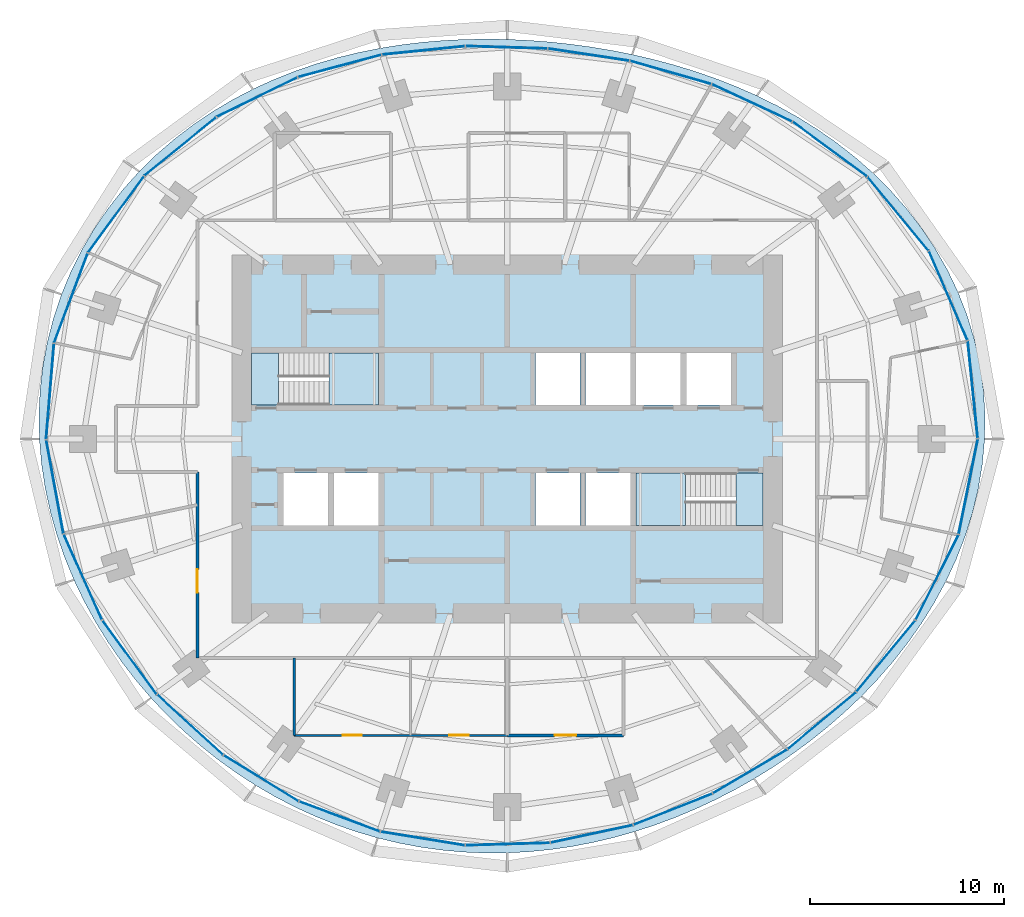
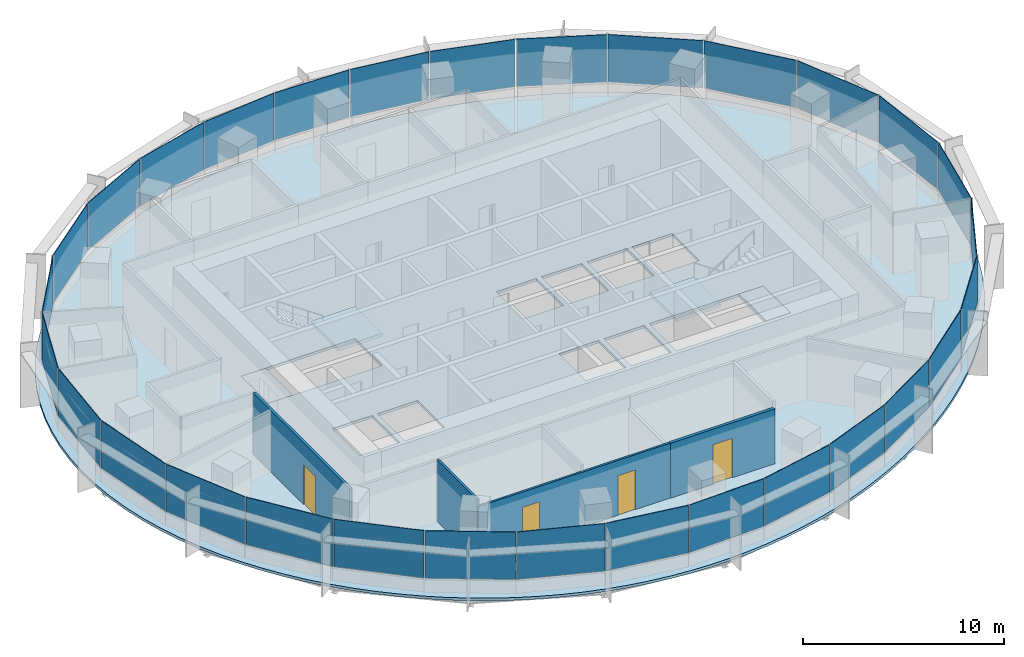
# One storey, part 9 of 14: 30 plates, 5 slabs, 4 doors, 4 walls, 4 openings, 8 elements without a shape of their own.
"""IFC4 building model written with IfcOpenShell, lengths in metres."""

from ifc_helpers import new_model, si_unit, direction, frame, frame_2d, origin, origin_2d, place, context, subcontext, project, spatial, polyline, rectangle, outline, extrude, material, layer, layer_set, type_object, element, fill, aggregate, save


model = new_model("IFC4")

# Units and contexts
model_context = context("Model", 3, precision=1e-05, world=origin(), true_north=direction((0.0, 1.0)))
body_context = subcontext(model_context, "Body", "Model", "MODEL_VIEW")
ifc_project = project(units=[si_unit("LENGTHUNIT", "METRE"), si_unit("AREAUNIT", "SQUARE_METRE"), si_unit("VOLUMEUNIT", "CUBIC_METRE"), si_unit("PLANEANGLEUNIT", "RADIAN"), si_unit("MASSUNIT", "GRAM", prefix="KILO")], contexts=[model_context])

# Site, building, storey
site_placement = place(None, origin())
site = spatial("IfcSite", under=ifc_project, at=site_placement, CompositionType="ELEMENT")
building_placement = place(site_placement, origin())
building = spatial("IfcBuilding", under=site, at=building_placement, Name="Marramba Exchange Tower", CompositionType="ELEMENT")
storey_placement = place(building_placement, frame((0.0, 0.0, 199.39990234375)))
storey = spatial("IfcBuildingStorey", under=building, at=storey_placement, Name="L48", CompositionType="ELEMENT", Elevation=199.39990234375)

# Slab
ifc_material_1 = material(Name="Concrete N40", Category="concrete")
ifc_layer_1 = layer(ifc_material_1, 0.159912109375)
ifc_layer_set_1 = layer_set([ifc_layer_1], Name="Composite floor slab 160")
slab_type_1 = type_object("IfcSlabType", Name="Composite floor slab 160", PredefinedType="FLOOR", material=ifc_layer_set_1)
slab_1_placement = place(storey_placement, frame((0.0, 0.0, -0.159912109375)))
element("IfcSlab", 1, at=slab_1_placement, inside=storey, type_object=slab_type_1, Name="Floor slab L48", PredefinedType="FLOOR", context=body_context, shape_type="SweptSolid", body=[
    extrude(outline(polyline([(24.64404296875, 0.0), (24.661376953125, 1.29248046875), (24.580078125, 2.58349609375), (24.399658203125, 3.864501953125), (24.12109375, 5.127197265625), (23.7470703125, 6.363037109375), (23.281494140625, 7.564697265625), (22.72900390625, 8.724853515625), (22.095947265625, 9.837646484375), (21.388427734375, 10.89794921875), (20.614013671875, 11.901611328125), (19.780029296875, 12.845458984375), (18.894287109375, 13.7275390625), (17.964111328125, 14.547119140625), (16.996826171875, 15.303955078125), (15.9990234375, 15.9990234375), (14.977294921875, 16.634033203125), (13.936767578125, 17.21044921875), (12.882568359375, 17.7314453125), (11.819091796875, 18.19970703125), (10.749267578125, 18.6181640625), (9.67578125, 18.989990234375), (8.60107421875, 19.318115234375), (7.52587890625, 19.60546875), (6.451171875, 19.8544921875), (5.377197265625, 20.067626953125), (4.303466796875, 20.246337890625), (3.229736328125, 20.39208984375), (2.1552734375, 20.50537109375), (1.078857421875, 20.5869140625), (0.0, 20.63623046875), (-1.082275390625, 20.652587890625), (-2.168701171875, 20.634765625), (-3.259765625, 20.580810546875), (-4.35498046875, 20.4892578125), (-5.45458984375, 20.35693359375), (-6.557373046875, 20.181884765625), (-7.662353515625, 19.9609375), (-8.76708984375, 19.691162109375), (-9.869384765625, 19.369873046875), (-10.96630859375, 18.994384765625), (-12.05419921875, 18.561767578125), (-13.128662109375, 18.070068359375), (-14.185546875, 17.517578125), (-15.218994140625, 16.902587890625), (-16.22412109375, 16.22412109375), (-17.195068359375, 15.482421875), (-18.12548828125, 14.677734375), (-19.009521484375, 13.811279296875), (-19.841064453125, 12.885009765625), (-20.614013671875, 11.901611328125), (-21.32275390625, 10.864501953125), (-21.9619140625, 9.778076171875), (-22.52685546875, 8.647216796875), (-23.01318359375, 7.477294921875), (-23.417724609375, 6.274658203125), (-23.73779296875, 5.045654296875), (-23.971923828125, 3.796875), (-24.119384765625, 2.53515625), (-24.180419921875, 1.267333984375), (-24.156005859375, 0.0), (-24.04833984375, -1.26025390625), (-23.860107421875, -2.5078125), (-23.594482421875, -3.737060546875), (-23.25537109375, -4.943115234375), (-22.846923828125, -6.121826171875), (-22.373291015625, -7.26953125), (-21.8388671875, -8.38330078125), (-21.247802734375, -9.460205078125), (-20.604248046875, -10.49853515625), (-19.912109375, -11.496337890625), (-19.174560546875, -12.4521484375), (-18.395263671875, -13.364990234375), (-17.5771484375, -14.233642578125), (-16.72265625, -15.05712890625), (-15.834228515625, -15.834228515625), (-14.914794921875, -16.564453125), (-13.966064453125, -17.24658203125), (-12.990234375, -17.879638671875), (-11.98974609375, -18.46240234375), (-10.96630859375, -18.994384765625), (-9.922607421875, -19.47412109375), (-8.860595703125, -19.901123046875), (-7.78271484375, -20.2744140625), (-6.691162109375, -20.593505859375), (-5.5888671875, -20.858154296875), (-4.478271484375, -21.068115234375), (-3.361328125, -21.22314453125), (-2.2412109375, -21.32373046875), (-1.119873046875, -21.370361328125), (0.0, -21.36376953125), (1.116455078125, -21.3046875), (2.2275390625, -21.194580078125), (3.33154296875, -21.0341796875), (4.426513671875, -20.8251953125), (5.511474609375, -20.56884765625), (6.5849609375, -20.266357421875), (7.646240234375, -19.919189453125), (8.694580078125, -19.528076171875), (9.72900390625, -19.09423828125), (10.749267578125, -18.6181640625), (11.75439453125, -18.100341796875), (12.744140625, -17.541015625), (13.71728515625, -16.939697265625), (14.6728515625, -16.2958984375), (15.609130859375, -15.609130859375), (16.5244140625, -14.878662109375), (17.415771484375, -14.10302734375), (18.280029296875, -13.28125), (19.11376953125, -12.41259765625), (19.912109375, -11.496337890625), (20.669921875, -10.531982421875), (21.3818359375, -9.519775390625), (22.041259765625, -8.4609375), (22.641845703125, -7.356689453125), (23.176513671875, -6.210205078125), (23.638671875, -5.024658203125), (24.022216796875, -3.8046875), (24.32080078125, -2.55615234375), (24.529541015625, -1.28564453125), (24.64404296875, 0.0)]), holes=[polyline([(1.449951171875, 1.75), (3.75, 1.75), (3.75, 4.449951171875), (1.449951171875, 4.449951171875), (1.449951171875, 1.75)]), polyline([(4.050048828125, 1.75), (6.35009765625, 1.75), (6.35009765625, 4.449951171875), (4.050048828125, 4.449951171875), (4.050048828125, 1.75)]), polyline([(1.449951171875, -4.449951171875), (3.75, -4.449951171875), (3.75, -1.75), (1.449951171875, -1.75), (1.449951171875, -4.449951171875)]), polyline([(4.050048828125, -4.449951171875), (6.35009765625, -4.449951171875), (6.35009765625, -1.75), (4.050048828125, -1.75), (4.050048828125, -4.449951171875)]), polyline([(6.64990234375, 1.75), (8.949951171875, 1.75), (8.949951171875, 4.449951171875), (6.64990234375, 4.449951171875), (6.64990234375, 1.75)]), polyline([(-8.949951171875, -4.449951171875), (-6.64990234375, -4.449951171875), (-6.64990234375, -1.75), (-8.949951171875, -1.75), (-8.949951171875, -4.449951171875)]), polyline([(-11.550048828125, -4.449951171875), (-9.25, -4.449951171875), (-9.25, -1.75), (-11.550048828125, -1.75), (-11.550048828125, -4.449951171875)]), polyline([(9.25, 1.75), (11.550048828125, 1.75), (11.550048828125, 4.449951171875), (9.25, 4.449951171875), (9.25, 1.75)]), polyline([(-13.199951171875, 1.75), (-6.64990234375, 1.75), (-6.64990234375, 4.449951171875), (-13.199951171875, 4.449951171875), (-13.199951171875, 1.75)]), polyline([(6.64990234375, -4.449951171875), (13.199951171875, -4.449951171875), (13.199951171875, -1.75), (6.64990234375, -1.75), (6.64990234375, -4.449951171875)])]), origin(), (0.0, 0.0, 1.0), 0.159912109375),
])

# Curtain wall, plates
ifc_material_2 = material(Name="Aluminium framing, bronze anodised", Category="aluminium")
curtain_wall_type = type_object("IfcCurtainWallType", Name="Office ribbon curtain wall", PredefinedType="USERDEFINED", material=ifc_material_2)
curtain_wall_1_placement = place(storey_placement, origin())
curtain_wall_1 = element("IfcCurtainWall", 2, at=curtain_wall_1_placement, inside=storey, type_object=curtain_wall_type, Name="Curtain wall CW4 L48 F01-F05", ObjectType="RIBBON CURTAIN WALL", PredefinedType="USERDEFINED")
ifc_material_3 = material(Name="Laminated double glazed unit 10.76 + 16 + 10.76, bronze tinted", Category="glass")
ifc_layer_2 = layer(ifc_material_3, 0.03759765625)
ifc_layer_set_2 = layer_set([ifc_layer_2], Name="Office ribbon curtain wall panel")
plate_type = type_object("IfcPlateType", Name="Office ribbon curtain wall panel", PredefinedType="CURTAIN_PANEL", material=ifc_layer_set_2)
plate_1_placement = place(storey_placement, frame((24.033203125, 2.556884765625, 0.860107421875), z_axis=(0.0, 0.0, 1.0), x_axis=(-0.101422472607, 0.994843446001, 0.0)))
plate_1 = element("IfcPlate", 3, at=plate_1_placement, type_object=plate_type, Name="CW4 vision panel", PredefinedType="CURTAIN_PANEL", context=body_context, shape_type="SweptSolid", body=[
    extrude(rectangle(XDim=5.0205078125, YDim=0.03759765625, at=origin_2d()), origin(), (0.0, 0.0, 1.0), 2.8798828125),
])
plate_2_placement = place(storey_placement, frame((22.765625, 7.40234375, 0.860107421875), z_axis=(0.0, 0.0, 1.0), x_axis=(-0.396193346946, 0.918167104527, 0.0)))
plate_2 = element("IfcPlate", 4, at=plate_2_placement, type_object=plate_type, Name="CW4 vision panel", PredefinedType="CURTAIN_PANEL", context=body_context, shape_type="SweptSolid", body=[
    extrude(rectangle(XDim=4.99462890625, YDim=0.03759765625, at=origin_2d()), origin(), (0.0, 0.0, 1.0), 2.8798828125),
])
plate_3_placement = place(storey_placement, frame((20.174560546875, 11.631591796875, 0.860107421875), z_axis=(0.0, 0.0, 1.0), x_axis=(-0.637350227411, 0.770574258342, 0.0)))
plate_3 = element("IfcPlate", 5, at=plate_3_placement, type_object=plate_type, Name="CW4 vision panel", PredefinedType="CURTAIN_PANEL", context=body_context, shape_type="SweptSolid", body=[
    extrude(rectangle(XDim=4.90576171875, YDim=0.03759765625, at=origin_2d()), origin(), (0.0, 0.0, 1.0), 2.8798828125),
])
plate_4_placement = place(storey_placement, frame((16.653076171875, 14.965576171875, 0.860107421875), z_axis=(0.0, 0.0, 1.0), x_axis=(-0.804877259395, 0.593441317494, 0.0)))
plate_4 = element("IfcPlate", 6, at=plate_4_placement, type_object=plate_type, Name="CW4 vision panel", PredefinedType="CURTAIN_PANEL", context=body_context, shape_type="SweptSolid", body=[
    extrude(rectangle(XDim=4.745849609375, YDim=0.03759765625, at=origin_2d()), origin(), (0.0, 0.0, 1.0), 2.8798828125),
])
plate_5_placement = place(storey_placement, frame((12.63134765625, 17.357177734375, 0.860107421875), z_axis=(0.0, 0.0, 1.0), x_axis=(-0.906533907301, 0.422133006189, 0.0)))
plate_5 = element("IfcPlate", 7, at=plate_5_placement, type_object=plate_type, Name="CW4 vision panel", PredefinedType="CURTAIN_PANEL", context=body_context, shape_type="SweptSolid", body=[
    extrude(rectangle(XDim=4.53857421875, YDim=0.03759765625, at=origin_2d()), origin(), (0.0, 0.0, 1.0), 2.8798828125),
])
aggregate(curtain_wall_1, [plate_1, plate_2, plate_3, plate_4, plate_5])

curtain_wall_2_placement = place(storey_placement, origin())
curtain_wall_2 = element("IfcCurtainWall", 8, at=curtain_wall_2_placement, inside=storey, type_object=curtain_wall_type, Name="Curtain wall CW4 L48 F06-F10", ObjectType="RIBBON CURTAIN WALL", PredefinedType="USERDEFINED")
plate_6_placement = place(storey_placement, frame((8.4296875, 18.926513671875, 0.860107421875), z_axis=(0.0, 0.0, 1.0), x_axis=(-0.961658954195, 0.274248164656, 0.0)))
plate_6 = element("IfcPlate", 9, at=plate_6_placement, type_object=plate_type, Name="CW4 vision panel", PredefinedType="CURTAIN_PANEL", context=body_context, shape_type="SweptSolid", body=[
    extrude(rectangle(XDim=4.33984375, YDim=0.03759765625, at=origin_2d()), origin(), (0.0, 0.0, 1.0), 2.8798828125),
])
plate_7_placement = place(storey_placement, frame((4.201171875, 19.843994140625, 0.860107421875), z_axis=(0.0, 0.0, 1.0), x_axis=(-0.988868065698, 0.148794988635, 0.0)))
plate_7 = element("IfcPlate", 10, at=plate_7_placement, type_object=plate_type, Name="CW4 vision panel", PredefinedType="CURTAIN_PANEL", context=body_context, shape_type="SweptSolid", body=[
    extrude(rectangle(XDim=4.2119140625, YDim=0.03759765625, at=origin_2d()), origin(), (0.0, 0.0, 1.0), 2.8798828125),
])
plate_8_placement = place(storey_placement, frame((-0.036865234375, 20.222900390625, 0.860107421875), z_axis=(0.0, 0.0, 1.0), x_axis=(-0.999538000143, 0.03039385249, 0.0)))
plate_8 = element("IfcPlate", 11, at=plate_8_placement, type_object=plate_type, Name="CW4 vision panel", PredefinedType="CURTAIN_PANEL", context=body_context, shape_type="SweptSolid", body=[
    extrude(rectangle(XDim=4.19287109375, YDim=0.03759765625, at=origin_2d()), origin(), (0.0, 0.0, 1.0), 2.8798828125),
])
plate_9_placement = place(storey_placement, frame((-4.320556640625, 20.064697265625, 0.860107421875), z_axis=(0.0, 0.0, 1.0), x_axis=(-0.994900357369, -0.100862673507, 0.0)))
plate_9 = element("IfcPlate", 12, at=plate_9_placement, type_object=plate_type, Name="CW4 vision panel", PredefinedType="CURTAIN_PANEL", context=body_context, shape_type="SweptSolid", body=[
    extrude(rectangle(XDim=4.279296875, YDim=0.03759765625, at=origin_2d()), origin(), (0.0, 0.0, 1.0), 2.8798828125),
])
plate_10_placement = place(storey_placement, frame((-8.6494140625, 19.262451171875, 0.860107421875), z_axis=(0.0, 0.0, 1.0), x_axis=(-0.966240653155, -0.257641223778, 0.0)))
plate_10 = element("IfcPlate", 13, at=plate_10_placement, type_object=plate_type, Name="CW4 vision panel", PredefinedType="CURTAIN_PANEL", context=body_context, shape_type="SweptSolid", body=[
    extrude(rectangle(XDim=4.433837890625, YDim=0.03759765625, at=origin_2d()), origin(), (0.0, 0.0, 1.0), 2.8798828125),
])
aggregate(curtain_wall_2, [plate_6, plate_7, plate_8, plate_9, plate_10])

curtain_wall_3_placement = place(storey_placement, origin())
curtain_wall_3 = element("IfcCurtainWall", 14, at=curtain_wall_3_placement, inside=storey, type_object=curtain_wall_type, Name="Curtain wall CW4 L48 F11-F15", ObjectType="RIBBON CURTAIN WALL", PredefinedType="USERDEFINED")
plate_11_placement = place(storey_placement, frame((-12.9150390625, 17.653564453125, 0.860107421875), z_axis=(0.0, 0.0, 1.0), x_axis=(-0.898500518805, -0.438972456661, 0.0)))
plate_11 = element("IfcPlate", 15, at=plate_11_placement, type_object=plate_type, Name="CW4 vision panel", PredefinedType="CURTAIN_PANEL", context=body_context, shape_type="SweptSolid", body=[
    extrude(rectangle(XDim=4.607177734375, YDim=0.03759765625, at=origin_2d()), origin(), (0.0, 0.0, 1.0), 2.8798828125),
])
plate_12_placement = place(storey_placement, frame((-16.87890625, 15.10498046875, 0.860107421875), z_axis=(0.0, 0.0, 1.0), x_axis=(-0.776432169145, -0.630200830464, 0.0)))
plate_12 = element("IfcPlate", 16, at=plate_12_placement, type_object=plate_type, Name="CW4 vision panel", PredefinedType="CURTAIN_PANEL", context=body_context, shape_type="SweptSolid", body=[
    extrude(rectangle(XDim=4.7587890625, YDim=0.03759765625, at=origin_2d()), origin(), (0.0, 0.0, 1.0), 2.8798828125),
])
plate_13_placement = place(storey_placement, frame((-20.2021484375, 11.596435546875, 0.860107421875), z_axis=(0.0, 0.0, 1.0), x_axis=(-0.591962922138, -0.805965197024, 0.0)))
plate_13 = element("IfcPlate", 17, at=plate_13_placement, type_object=plate_type, Name="CW4 vision panel", PredefinedType="CURTAIN_PANEL", context=body_context, shape_type="SweptSolid", body=[
    extrude(rectangle(XDim=4.865478515625, YDim=0.03759765625, at=origin_2d()), origin(), (0.0, 0.0, 1.0), 2.8798828125),
])
plate_14_placement = place(storey_placement, frame((-22.529296875, 7.276123046875, 0.860107421875), z_axis=(0.0, 0.0, 1.0), x_axis=(-0.351951515885, -0.936018231909, 0.0)))
plate_14 = element("IfcPlate", 18, at=plate_14_placement, type_object=plate_type, Name="CW4 vision panel", PredefinedType="CURTAIN_PANEL", context=body_context, shape_type="SweptSolid", body=[
    extrude(rectangle(XDim=4.921630859375, YDim=0.03759765625, at=origin_2d()), origin(), (0.0, 0.0, 1.0), 2.8798828125),
])
plate_15_placement = place(storey_placement, frame((-23.603271484375, 2.45654296875, 0.860107421875), z_axis=(0.0, 0.0, 1.0), x_axis=(-0.082280890264, -0.996609178714, 0.0)))
plate_15 = element("IfcPlate", 19, at=plate_15_placement, type_object=plate_type, Name="CW4 vision panel", PredefinedType="CURTAIN_PANEL", context=body_context, shape_type="SweptSolid", body=[
    extrude(rectangle(XDim=4.9296875, YDim=0.03759765625, at=origin_2d()), origin(), (0.0, 0.0, 1.0), 2.8798828125),
])
aggregate(curtain_wall_3, [plate_11, plate_12, plate_13, plate_14, plate_15])

curtain_wall_4_placement = place(storey_placement, origin())
curtain_wall_4 = element("IfcCurtainWall", 20, at=curtain_wall_4_placement, inside=storey, type_object=curtain_wall_type, Name="Curtain wall CW4 L48 F16-F20", ObjectType="RIBBON CURTAIN WALL", PredefinedType="USERDEFINED")
plate_16_placement = place(storey_placement, frame((-23.354248046875, -2.464599609375, 0.860107421875), z_axis=(0.0, 0.0, 1.0), x_axis=(0.180327438996, -0.983606636184, 0.0)))
plate_16 = element("IfcPlate", 21, at=plate_16_placement, type_object=plate_type, Name="CW4 vision panel", PredefinedType="CURTAIN_PANEL", context=body_context, shape_type="SweptSolid", body=[
    extrude(rectangle(XDim=4.8916015625, YDim=0.03759765625, at=origin_2d()), origin(), (0.0, 0.0, 1.0), 2.8798828125),
])
plate_17_placement = place(storey_placement, frame((-21.908447265625, -7.12158203125, 0.860107421875), z_axis=(0.0, 0.0, 1.0), x_axis=(0.407557580942, -0.913179510401, 0.0)))
plate_17 = element("IfcPlate", 22, at=plate_17_placement, type_object=plate_type, Name="CW4 vision panel", PredefinedType="CURTAIN_PANEL", context=body_context, shape_type="SweptSolid", body=[
    extrude(rectangle(XDim=4.810302734375, YDim=0.03759765625, at=origin_2d()), origin(), (0.0, 0.0, 1.0), 2.8798828125),
])
plate_18_placement = place(storey_placement, frame((-19.50244140625, -11.2626953125, 0.860107421875), z_axis=(0.0, 0.0, 1.0), x_axis=(0.591223103363, -0.806508054547, 0.0)))
plate_18 = element("IfcPlate", 23, at=plate_18_placement, type_object=plate_type, Name="CW4 vision panel", PredefinedType="CURTAIN_PANEL", context=body_context, shape_type="SweptSolid", body=[
    extrude(rectangle(XDim=4.703125, YDim=0.03759765625, at=origin_2d()), origin(), (0.0, 0.0, 1.0), 2.8798828125),
])
plate_19_placement = place(storey_placement, frame((-16.374267578125, -14.752197265625, 0.860107421875), z_axis=(0.0, 0.0, 1.0), x_axis=(0.737203264245, -0.67567103474, 0.0)))
plate_19 = element("IfcPlate", 24, at=plate_19_placement, type_object=plate_type, Name="CW4 vision panel", PredefinedType="CURTAIN_PANEL", context=body_context, shape_type="SweptSolid", body=[
    extrude(rectangle(XDim=4.594970703125, YDim=0.03759765625, at=origin_2d()), origin(), (0.0, 0.0, 1.0), 2.8798828125),
])
plate_20_placement = place(storey_placement, frame((-12.71044921875, -17.513427734375, 0.860107421875), z_axis=(0.0, 0.0, 1.0), x_axis=(0.85230101176, -0.52305160869, 0.0)))
plate_20 = element("IfcPlate", 25, at=plate_20_placement, type_object=plate_type, Name="CW4 vision panel", PredefinedType="CURTAIN_PANEL", context=body_context, shape_type="SweptSolid", body=[
    extrude(rectangle(XDim=4.503173828125, YDim=0.03759765625, at=origin_2d()), origin(), (0.0, 0.0, 1.0), 2.8798828125),
])
aggregate(curtain_wall_4, [plate_16, plate_17, plate_18, plate_19, plate_20])

curtain_wall_5_placement = place(storey_placement, origin())
curtain_wall_5 = element("IfcCurtainWall", 26, at=curtain_wall_5_placement, inside=storey, type_object=curtain_wall_type, Name="Curtain wall CW4 L48 F21-F25", ObjectType="RIBBON CURTAIN WALL", PredefinedType="USERDEFINED")
plate_21_placement = place(storey_placement, frame((-8.6591796875, -19.486572265625, 0.860107421875), z_axis=(0.0, 0.0, 1.0), x_axis=(0.936951583142, -0.349459197687, 0.0)))
plate_21 = element("IfcPlate", 27, at=plate_21_placement, type_object=plate_type, Name="CW4 vision panel", PredefinedType="CURTAIN_PANEL", context=body_context, shape_type="SweptSolid", body=[
    extrude(rectangle(XDim=4.431396484375, YDim=0.03759765625, at=origin_2d()), origin(), (0.0, 0.0, 1.0), 2.8798828125),
])
plate_22_placement = place(storey_placement, frame((-4.3642578125, -20.623046875, 0.860107421875), z_axis=(0.0, 0.0, 1.0), x_axis=(0.986930623159, -0.161145726194, 0.0)))
plate_22 = element("IfcPlate", 28, at=plate_22_placement, type_object=plate_type, Name="CW4 vision panel", PredefinedType="CURTAIN_PANEL", context=body_context, shape_type="SweptSolid", body=[
    extrude(rectangle(XDim=4.37646484375, YDim=0.03759765625, at=origin_2d()), origin(), (0.0, 0.0, 1.0), 2.8798828125),
])
plate_23_placement = place(storey_placement, frame((0.023193359375, -20.91015625, 0.860107421875), z_axis=(0.0, 0.0, 1.0), x_axis=(0.99956791915, 0.029393451762, 0.0)))
plate_23 = element("IfcPlate", 29, at=plate_23_placement, type_object=plate_type, Name="CW4 vision panel", PredefinedType="CURTAIN_PANEL", context=body_context, shape_type="SweptSolid", body=[
    extrude(rectangle(XDim=4.337646484375, YDim=0.03759765625, at=origin_2d()), origin(), (0.0, 0.0, 1.0), 2.8798828125),
])
plate_24_placement = place(storey_placement, frame((4.36328125, -20.3837890625, 0.860107421875), z_axis=(0.0, 0.0, 1.0), x_axis=(0.978058069607, 0.208332456608, 0.0)))
plate_24 = element("IfcPlate", 30, at=plate_24_placement, type_object=plate_type, Name="CW4 vision panel", PredefinedType="CURTAIN_PANEL", context=body_context, shape_type="SweptSolid", body=[
    extrude(rectangle(XDim=4.32177734375, YDim=0.03759765625, at=origin_2d()), origin(), (0.0, 0.0, 1.0), 2.8798828125),
])
plate_25_placement = place(storey_placement, frame((8.553466796875, -19.11328125, 0.860107421875), z_axis=(0.0, 0.0, 1.0), x_axis=(0.93007301435, 0.367374724195, 0.0)))
plate_25 = element("IfcPlate", 31, at=plate_25_placement, type_object=plate_type, Name="CW4 vision panel", PredefinedType="CURTAIN_PANEL", context=body_context, shape_type="SweptSolid", body=[
    extrude(rectangle(XDim=4.345458984375, YDim=0.03759765625, at=origin_2d()), origin(), (0.0, 0.0, 1.0), 2.8798828125),
])
aggregate(curtain_wall_5, [plate_21, plate_22, plate_23, plate_24, plate_25])

curtain_wall_6_placement = place(storey_placement, origin())
curtain_wall_6 = element("IfcCurtainWall", 32, at=curtain_wall_6_placement, inside=storey, type_object=curtain_wall_type, Name="Curtain wall CW4 L48 F26-F30", ObjectType="RIBBON CURTAIN WALL", PredefinedType="USERDEFINED")
plate_26_placement = place(storey_placement, frame((12.5322265625, -17.16015625, 0.860107421875), z_axis=(0.0, 0.0, 1.0), x_axis=(0.861350833897, 0.508010571686, 0.0)))
plate_26 = element("IfcPlate", 33, at=plate_26_placement, type_object=plate_type, Name="CW4 vision panel", PredefinedType="CURTAIN_PANEL", context=body_context, shape_type="SweptSolid", body=[
    extrude(rectangle(XDim=4.426513671875, YDim=0.03759765625, at=origin_2d()), origin(), (0.0, 0.0, 1.0), 2.8798828125),
])
plate_27_placement = place(storey_placement, frame((16.240966796875, -14.536376953125, 0.860107421875), z_axis=(0.0, 0.0, 1.0), x_axis=(0.768736798421, 0.639565270127, 0.0)))
plate_27 = element("IfcPlate", 34, at=plate_27_placement, type_object=plate_type, Name="CW4 vision panel", PredefinedType="CURTAIN_PANEL", context=body_context, shape_type="SweptSolid", body=[
    extrude(rectangle(XDim=4.568603515625, YDim=0.03759765625, at=origin_2d()), origin(), (0.0, 0.0, 1.0), 2.8798828125),
])
plate_28_placement = place(storey_placement, frame((19.548583984375, -11.203369140625, 0.860107421875), z_axis=(0.0, 0.0, 1.0), x_axis=(0.63814998673, 0.769912069289, 0.0)))
plate_28 = element("IfcPlate", 35, at=plate_28_placement, type_object=plate_type, Name="CW4 vision panel", PredefinedType="CURTAIN_PANEL", context=body_context, shape_type="SweptSolid", body=[
    extrude(rectangle(XDim=4.7431640625, YDim=0.03759765625, at=origin_2d()), origin(), (0.0, 0.0, 1.0), 2.8798828125),
])
plate_29_placement = place(storey_placement, frame((22.19287109375, -7.137939453125, 0.860107421875), z_axis=(0.0, 0.0, 1.0), x_axis=(0.450673083956, 0.892689067591, 0.0)))
plate_29 = element("IfcPlate", 36, at=plate_29_placement, type_object=plate_type, Name="CW4 vision panel", PredefinedType="CURTAIN_PANEL", context=body_context, shape_type="SweptSolid", body=[
    extrude(rectangle(XDim=4.897705078125, YDim=0.03759765625, at=origin_2d()), origin(), (0.0, 0.0, 1.0), 2.8798828125),
])
plate_30_placement = place(storey_placement, frame((23.801025390625, -2.446533203125, 0.860107421875), z_axis=(0.0, 0.0, 1.0), x_axis=(0.197495405316, 0.980303812539, 0.0)))
plate_30 = element("IfcPlate", 37, at=plate_30_placement, type_object=plate_type, Name="CW4 vision panel", PredefinedType="CURTAIN_PANEL", context=body_context, shape_type="SweptSolid", body=[
    extrude(rectangle(XDim=4.9912109375, YDim=0.03759765625, at=origin_2d()), origin(), (0.0, 0.0, 1.0), 2.8798828125),
])
aggregate(curtain_wall_6, [plate_26, plate_27, plate_28, plate_29, plate_30])

# Stair, slabs
ifc_material_4 = material(Name="Concrete N40 (40 MPa)", Category="concrete")
stair_type_1 = type_object("IfcStairType", Name="Exit stair ST1 3900 x 1250", PredefinedType="HALF_TURN_STAIR", material=ifc_material_4)
stair_1_placement = place(storey_placement, origin())
stair_1 = element("IfcStair", 38, at=stair_1_placement, inside=storey, type_object=stair_type_1, Name="Exit stair ST1 L48", PredefinedType="HALF_TURN_STAIR")
ifc_layer_3 = layer(ifc_material_4, 0.199951171875)
ifc_layer_set_3 = layer_set([ifc_layer_3], Name="Stair landing 200")
slab_type_2 = type_object("IfcSlabType", Name="Stair landing 200", PredefinedType="LANDING", material=ifc_layer_set_3)
slab_2_placement = place(storey_placement, frame((0.0, 0.0, -0.199951171875)))
slab_2 = element("IfcSlab", 39, at=slab_2_placement, type_object=slab_type_2, Name="ST1 landing 1", PredefinedType="LANDING", context=body_context, shape_type="SweptSolid", body=[
    extrude(outline(polyline([(-13.199951171875, 1.75), (-11.800048828125, 1.75), (-11.800048828125, 4.449951171875), (-13.199951171875, 4.449951171875), (-13.199951171875, 1.75)])), origin(), (0.0, 0.0, 1.0), 0.199951171875),
])
slab_3_placement = place(storey_placement, frame((0.0, 0.0, 1.75)))
slab_3 = element("IfcSlab", 40, at=slab_3_placement, type_object=slab_type_2, Name="ST1 landing 2", PredefinedType="LANDING", context=body_context, shape_type="SweptSolid", body=[
    extrude(outline(polyline([(-9.199951171875, 1.75), (-6.64990234375, 1.75), (-6.64990234375, 4.449951171875), (-9.199951171875, 4.449951171875), (-9.199951171875, 1.75)])), origin(), (0.0, 0.0, 1.0), 0.2001953125),
])
aggregate(stair_1, [slab_2, slab_3])

stair_type_2 = type_object("IfcStairType", Name="Exit stair ST2 3900 x 1250", PredefinedType="HALF_TURN_STAIR", material=ifc_material_4)
stair_2_placement = place(storey_placement, origin())
stair_2 = element("IfcStair", 41, at=stair_2_placement, inside=storey, type_object=stair_type_2, Name="Exit stair ST2 L48", PredefinedType="HALF_TURN_STAIR")
slab_4_placement = place(storey_placement, frame((0.0, 0.0, -0.199951171875)))
slab_4 = element("IfcSlab", 42, at=slab_4_placement, type_object=slab_type_2, Name="ST2 landing 1", PredefinedType="LANDING", context=body_context, shape_type="SweptSolid", body=[
    extrude(outline(polyline([(11.800048828125, -4.449951171875), (13.199951171875, -4.449951171875), (13.199951171875, -1.75), (11.800048828125, -1.75), (11.800048828125, -4.449951171875)])), origin(), (0.0, 0.0, 1.0), 0.199951171875),
])
slab_5_placement = place(storey_placement, frame((0.0, 0.0, 1.75)))
slab_5 = element("IfcSlab", 43, at=slab_5_placement, type_object=slab_type_2, Name="ST2 landing 2", PredefinedType="LANDING", context=body_context, shape_type="SweptSolid", body=[
    extrude(outline(polyline([(6.64990234375, -4.449951171875), (9.199951171875, -4.449951171875), (9.199951171875, -1.75), (6.64990234375, -1.75), (6.64990234375, -4.449951171875)])), origin(), (0.0, 0.0, 1.0), 0.2001953125),
])
aggregate(stair_2, [slab_4, slab_5])

# Wall, opening, door
ifc_material_5 = material(Name="Plasterboard on staggered double steel studs, acoustic insulation", Category="steel")
ifc_layer_4 = layer(ifc_material_5, 0.169921875)
ifc_layer_set_4 = layer_set([ifc_layer_4], Name="Acoustic partition 170")
wall_type_1 = type_object("IfcWallType", Name="Acoustic partition 170", PredefinedType="PARTITIONING", material=ifc_layer_set_4)
wall_1_placement = place(storey_placement, frame((0.0, -15.300048828125, 0.0), z_axis=(0.0, 0.0, 1.0), x_axis=(1.0, 0.0, 0.0)))
wall_1 = element("IfcWall", 44, at=wall_1_placement, inside=storey, type_object=wall_type_1, Name="Acoustic partition L48 09", PredefinedType="PARTITIONING", context=body_context, shape_type="SweptSolid", body=[
    extrude(rectangle(XDim=6.0, YDim=0.169921875, at=frame_2d((3.0, 0.0))), origin(), (0.0, 0.0, 1.0), 3.333984375),
])
opening_1_placement = place(wall_1_placement, frame((2.449951171875, 0.0, 0.0)))
opening_1 = element("IfcOpeningElement", 45, at=opening_1_placement, cuts=wall_1, Name="Opening D15", PredefinedType="OPENING", context=body_context, shape_type="SweptSolid", body=[
    extrude(rectangle(XDim=1.10009765625, YDim=2.39990234375, at=frame_2d((0.550048828125, 1.199951171875))), frame((0.0, 0.094970703125, 0.0), z_axis=(0.0, -1.0, 0.0), x_axis=(1.0, 0.0, 0.0)), (0.0, 0.0, 1.0), 0.18994140625),
])
ifc_material_6 = material(Name="Timber door", Category="wood")
door_type_1 = type_object("IfcDoorType", Name="Glazed meeting room door 1100x2400", OperationType="SINGLE_SWING_LEFT", PredefinedType="DOOR", material=ifc_material_6)
door_1_placement = place(opening_1_placement, origin())
door_1 = element("IfcDoor", 46, at=door_1_placement, inside=storey, type_object=door_type_1, Name="D15 Meeting Room 4 L48", OperationType="SINGLE_SWING_RIGHT", OverallHeight=2.39990234375, OverallWidth=1.10009765625, PredefinedType="DOOR", context=body_context, shape_type="SweptSolid", body=[
    extrude(rectangle(XDim=1.10009765625, YDim=2.39990234375, at=frame_2d((0.550048828125, 1.199951171875))), frame((0.0, 0.02490234375, 0.0), z_axis=(0.0, -1.0, 0.0), x_axis=(1.0, 0.0, 0.0)), (0.0, 0.0, 1.0), 0.050048828125),
])
fill(opening_1, door_1)

# Wall
ifc_material_7 = material(Name="Plasterboard on steel studs", Category="steel")
ifc_layer_5 = layer(ifc_material_7, 0.1201171875)
ifc_layer_set_5 = layer_set([ifc_layer_5], Name="Partition 120")
wall_type_2 = type_object("IfcWallType", Name="Partition 120", PredefinedType="PARTITIONING", material=ifc_layer_set_5)
wall_2_placement = place(storey_placement, frame((-11.0, -11.300048828125, 0.0), z_axis=(0.0, 0.0, 1.0), x_axis=(0.0, -1.0, 0.0)))
element("IfcWall", 47, at=wall_2_placement, inside=storey, type_object=wall_type_2, Name="Partition L48 04", PredefinedType="PARTITIONING", context=body_context, shape_type="SweptSolid", body=[
    extrude(rectangle(XDim=4.0, YDim=0.1201171875, at=frame_2d((2.0, 0.0))), origin(), (0.0, 0.0, 1.0), 3.739990234375),
])

# Wall, openings, doors
wall_3_placement = place(storey_placement, frame((-11.0, -15.300048828125, 0.0), z_axis=(0.0, 0.0, 1.0), x_axis=(1.0, 0.0, 0.0)))
wall_3 = element("IfcWall", 48, at=wall_3_placement, inside=storey, type_object=wall_type_2, Name="Partition L48 07", PredefinedType="PARTITIONING", context=body_context, shape_type="SweptSolid", body=[
    extrude(rectangle(XDim=11.0, YDim=0.1201171875, at=frame_2d((5.5, 0.0))), origin(), (0.0, 0.0, 1.0), 3.333984375),
])
opening_2_placement = place(wall_3_placement, frame((2.5, 0.0, 0.0)))
opening_2 = element("IfcOpeningElement", 49, at=opening_2_placement, cuts=wall_3, Name="Opening D9", PredefinedType="OPENING", context=body_context, shape_type="SweptSolid", body=[
    extrude(rectangle(XDim=1.0, YDim=2.39990234375, at=frame_2d((0.5, 1.199951171875))), frame((0.0, 0.070068359375, 0.0), z_axis=(0.0, -1.0, 0.0), x_axis=(1.0, 0.0, 0.0)), (0.0, 0.0, 1.0), 0.14013671875),
])
opening_3_placement = place(wall_3_placement, frame((8.0, 0.0, 0.0)))
opening_3 = element("IfcOpeningElement", 50, at=opening_3_placement, cuts=wall_3, Name="Opening D9", PredefinedType="OPENING", context=body_context, shape_type="SweptSolid", body=[
    extrude(rectangle(XDim=1.0, YDim=2.39990234375, at=frame_2d((0.5, 1.199951171875))), frame((0.0, 0.070068359375, 0.0), z_axis=(0.0, -1.0, 0.0), x_axis=(1.0, 0.0, 0.0)), (0.0, 0.0, 1.0), 0.14013671875),
])
door_type_2 = type_object("IfcDoorType", Name="Room door 1000x2400", OperationType="SINGLE_SWING_LEFT", PredefinedType="DOOR", material=ifc_material_6)
door_2_placement = place(opening_2_placement, origin())
door_2 = element("IfcDoor", 51, at=door_2_placement, inside=storey, type_object=door_type_2, Name="D9 Pantry 2 L48", OperationType="SINGLE_SWING_RIGHT", OverallHeight=2.39990234375, OverallWidth=1.0, PredefinedType="DOOR", context=body_context, shape_type="SweptSolid", body=[
    extrude(rectangle(XDim=1.0, YDim=2.39990234375, at=frame_2d((0.5, 1.199951171875))), frame((0.0, 0.02490234375, 0.0), z_axis=(0.0, -1.0, 0.0), x_axis=(1.0, 0.0, 0.0)), (0.0, 0.0, 1.0), 0.050048828125),
])
fill(opening_2, door_2)
door_3_placement = place(opening_3_placement, origin())
door_3 = element("IfcDoor", 52, at=door_3_placement, inside=storey, type_object=door_type_2, Name="D9 Print Room L48", OperationType="SINGLE_SWING_RIGHT", OverallHeight=2.39990234375, OverallWidth=1.0, PredefinedType="DOOR", context=body_context, shape_type="SweptSolid", body=[
    extrude(rectangle(XDim=1.0, YDim=2.39990234375, at=frame_2d((0.5, 1.199951171875))), frame((0.0, 0.02490234375, 0.0), z_axis=(0.0, -1.0, 0.0), x_axis=(1.0, 0.0, 0.0)), (0.0, 0.0, 1.0), 0.050048828125),
])
fill(opening_3, door_3)

# Wall, opening, door
ifc_material_8 = material(Name="Fire-rated plasterboard on steel studs, acoustic insulation", Category="steel")
ifc_layer_6 = layer(ifc_material_8, 0.14990234375)
ifc_layer_set_6 = layer_set([ifc_layer_6], Name="Tenancy wall 150")
wall_type_3 = type_object("IfcWallType", Name="Tenancy wall 150", PredefinedType="PARTITIONING", material=ifc_layer_set_6)
wall_4_placement = place(storey_placement, frame((-16.0, -1.699951171875, 0.0), z_axis=(0.0, 0.0, 1.0), x_axis=(0.0, -1.0, 0.0)))
wall_4 = element("IfcWall", 53, at=wall_4_placement, inside=storey, type_object=wall_type_3, Name="Tenancy wall L48 03", PredefinedType="PARTITIONING", context=body_context, shape_type="SweptSolid", body=[
    extrude(rectangle(XDim=9.60009765625, YDim=0.14990234375, at=frame_2d((4.800048828125, 0.0))), origin(), (0.0, 0.0, 1.0), 3.739990234375),
])
opening_4_placement = place(wall_4_placement, frame((5.02490234375, 0.0, 0.0)))
opening_4 = element("IfcOpeningElement", 54, at=opening_4_placement, cuts=wall_4, Name="Opening D13", PredefinedType="OPENING", context=body_context, shape_type="SweptSolid", body=[
    extrude(rectangle(XDim=1.199951171875, YDim=2.39990234375, at=frame_2d((0.60009765625, 1.199951171875))), frame((0.0, 0.0849609375, 0.0), z_axis=(0.0, -1.0, 0.0), x_axis=(1.0, 0.0, 0.0)), (0.0, 0.0, 1.0), 0.169921875),
])
ifc_material_9 = material(Name="Steel-framed door", Category="steel")
door_type_3 = type_object("IfcDoorType", Name="Tenancy entry door 1200x2400", OperationType="SINGLE_SWING_LEFT", PredefinedType="DOOR", material=ifc_material_9)
door_4_placement = place(opening_4_placement, origin())
door_4 = element("IfcDoor", 55, at=door_4_placement, inside=storey, type_object=door_type_3, Name="D13 Office 3 L48", OperationType="SINGLE_SWING_RIGHT", OverallHeight=2.39990234375, OverallWidth=1.199951171875, PredefinedType="DOOR", context=body_context, shape_type="SweptSolid", body=[
    extrude(rectangle(XDim=1.199951171875, YDim=2.39990234375, at=frame_2d((0.60009765625, 1.199951171875))), frame((0.0, 0.02490234375, 0.0), z_axis=(0.0, -1.0, 0.0), x_axis=(1.0, 0.0, 0.0)), (0.0, 0.0, 1.0), 0.050048828125),
])
fill(opening_4, door_4)

save(model, "model.ifc")
